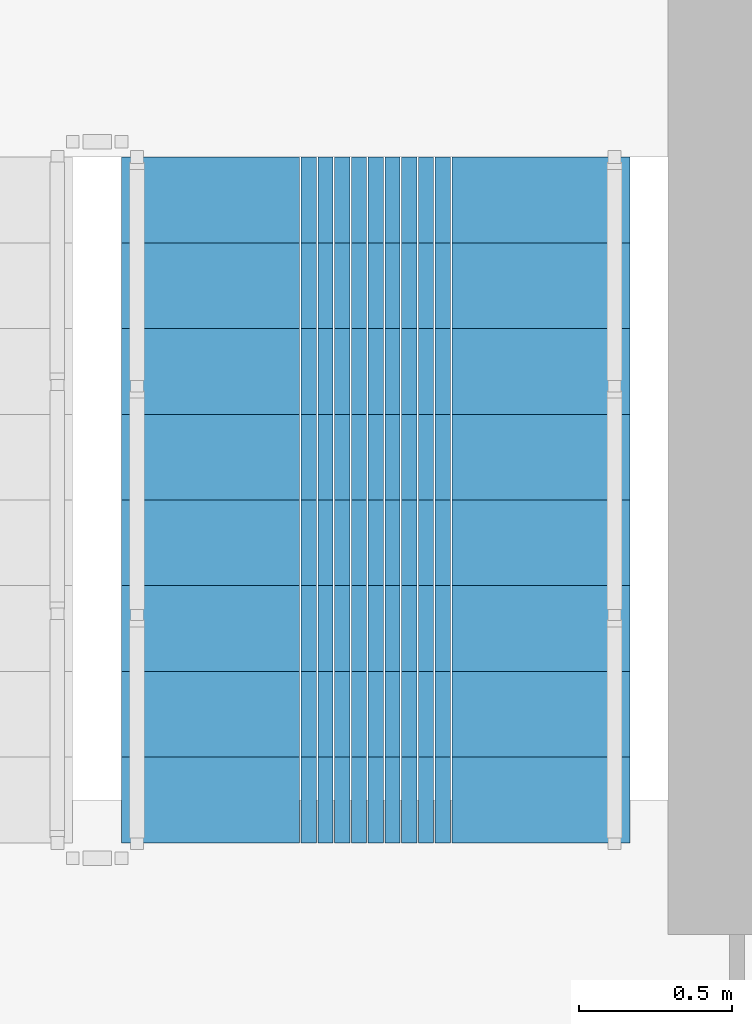
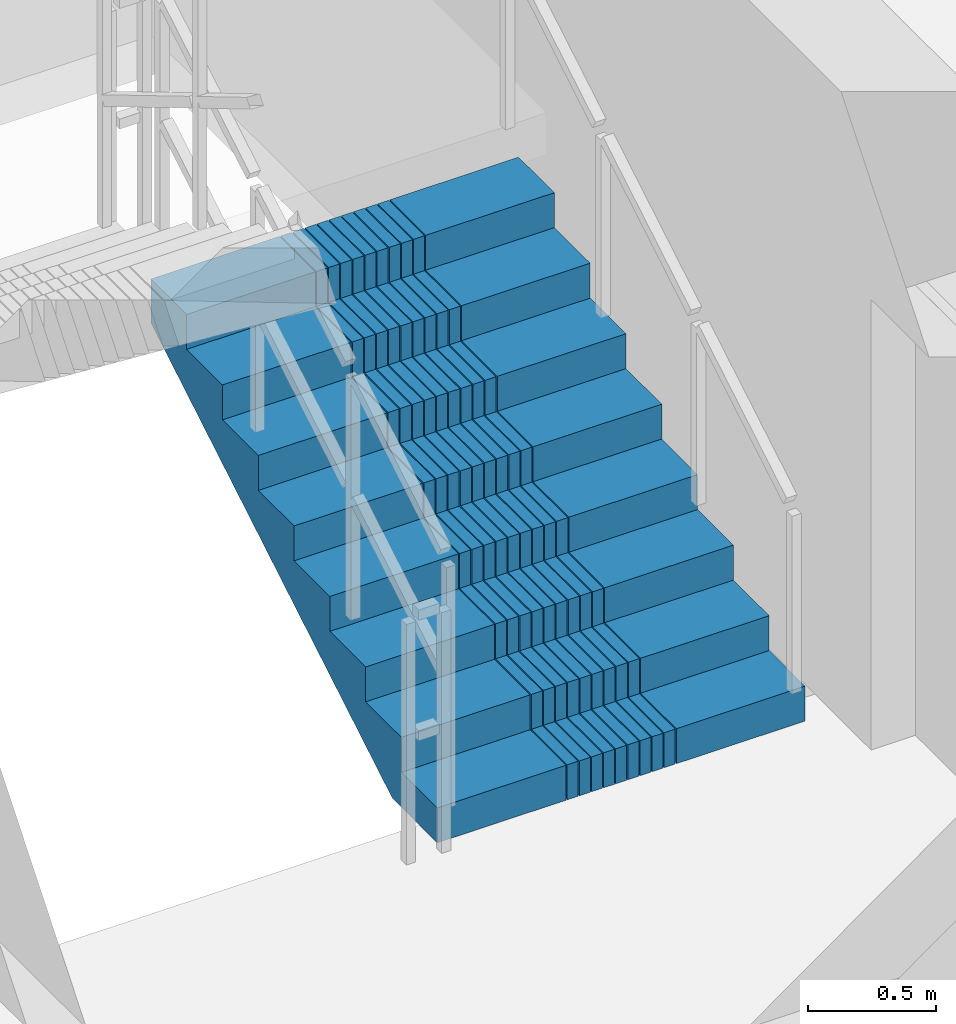
# One storey, part 9 of 14: 1 stair flight, 1 element without a shape of its own.
"""IFC4 building model written with IfcOpenShell, lengths in metres."""

from ifc_helpers import new_model, si_unit, direction, frame, origin, place, context, subcontext, project, spatial, polyline, outline, extrude, material, type_object, element, aggregate, save


model = new_model("IFC4")

# Units and contexts
model_context = context("Model", 3, precision=1e-05, world=origin(), true_north=direction((0.0, 1.0)))
body_context = subcontext(model_context, "Body", "Model", "MODEL_VIEW")
ifc_project = project(units=[si_unit("LENGTHUNIT", "METRE"), si_unit("AREAUNIT", "SQUARE_METRE"), si_unit("VOLUMEUNIT", "CUBIC_METRE"), si_unit("PLANEANGLEUNIT", "RADIAN"), si_unit("MASSUNIT", "GRAM", prefix="KILO")], contexts=[model_context])

# Site, building, storey
site_placement = place(None, origin())
site = spatial("IfcSite", under=ifc_project, at=site_placement, CompositionType="ELEMENT")
building_placement = place(site_placement, origin())
building = spatial("IfcBuilding", under=site, at=building_placement, Name="Saelheon Loggia Tower", CompositionType="ELEMENT")
storey_placement = place(building_placement, frame((0.0, 0.0, 230.10009765625)))
storey = spatial("IfcBuildingStorey", under=building, at=storey_placement, Name="L71", CompositionType="ELEMENT", Elevation=230.10009765625)

# Stair, stair flight
ifc_material = material(Name="Concrete C40/50", Category="concrete")
stair_type = type_object("IfcStairType", Name="Stair_Escape_Core", PredefinedType="HALF_TURN_STAIR", material=ifc_material)
stair_placement = place(storey_placement, origin())
stair = element("IfcStair", 1, at=stair_placement, inside=storey, type_object=stair_type, Name="L71 Special Escape Stair ST2", PredefinedType="HALF_TURN_STAIR")
stair_flight_type = type_object("IfcStairFlightType", Name="StairFlight_Tower_1660", PredefinedType="STRAIGHT", material=ifc_material)
stair_flight_placement = place(storey_placement, frame((43.320068359375, 30.449951171875, 0.0), z_axis=(0.0, 0.0, 1.0), x_axis=(0.0, 1.0, 0.0)))
stair_flight = element("IfcStairFlight", 2, at=stair_flight_placement, type_object=stair_flight_type, Name="ST2 flight 1", NumberOfRisers=9, NumberOfTreads=8, PredefinedType="STRAIGHT", RiserHeight=0.166666667, TreadLength=0.28, context=body_context, shape_type="SweptSolid", body=[
    extrude(outline(polyline([(0.0, 0.0), (0.0, 0.166748046875), (0.280029296875, 0.166748046875), (0.280029296875, 0.333251953125), (0.56005859375, 0.333251953125), (0.56005859375, 0.5), (0.840087890625, 0.5), (0.840087890625, 0.666748046875), (1.1201171875, 0.666748046875), (1.1201171875, 0.833251953125), (1.39990234375, 0.833251953125), (1.39990234375, 1.0), (1.679931640625, 1.0), (1.679931640625, 1.166748046875), (1.9599609375, 1.166748046875), (1.9599609375, 1.333251953125), (2.239990234375, 1.333251953125), (2.239990234375, 1.5), (2.239990234375, 1.1240234375), (0.351806640625, 0.0), (0.0, 0.0)])), frame((0.0, -0.2490234375, 0.0), z_axis=(0.0, -1.0, 0.0), x_axis=(1.0, 0.0, 0.0)), (0.0, 0.0, 1.0), 0.5810546875),
    extrude(outline(polyline([(0.0, 0.0), (0.0, 0.166748046875), (0.280029296875, 0.166748046875), (0.280029296875, 0.333251953125), (0.56005859375, 0.333251953125), (0.56005859375, 0.5), (0.840087890625, 0.5), (0.840087890625, 0.666748046875), (1.1201171875, 0.666748046875), (1.1201171875, 0.833251953125), (1.39990234375, 0.833251953125), (1.39990234375, 1.0), (1.679931640625, 1.0), (1.679931640625, 1.166748046875), (1.9599609375, 1.166748046875), (1.9599609375, 1.333251953125), (2.239990234375, 1.333251953125), (2.239990234375, 1.5), (2.239990234375, 1.1240234375), (0.351806640625, 0.0), (0.0, 0.0)])), frame((0.0, -0.194091796875, 0.0), z_axis=(0.0, -1.0, 0.0), x_axis=(1.0, 0.0, 0.0)), (0.0, 0.0, 1.0), 0.0498046875),
    extrude(outline(polyline([(0.0, 0.0), (0.0, 0.166748046875), (0.280029296875, 0.166748046875), (0.280029296875, 0.333251953125), (0.56005859375, 0.333251953125), (0.56005859375, 0.5), (0.840087890625, 0.5), (0.840087890625, 0.666748046875), (1.1201171875, 0.666748046875), (1.1201171875, 0.833251953125), (1.39990234375, 0.833251953125), (1.39990234375, 1.0), (1.679931640625, 1.0), (1.679931640625, 1.166748046875), (1.9599609375, 1.166748046875), (1.9599609375, 1.333251953125), (2.239990234375, 1.333251953125), (2.239990234375, 1.5), (2.239990234375, 1.1240234375), (0.351806640625, 0.0), (0.0, 0.0)])), frame((0.0, -0.139404296875, 0.0), z_axis=(0.0, -1.0, 0.0), x_axis=(1.0, 0.0, 0.0)), (0.0, 0.0, 1.0), 0.0498046875),
    extrude(outline(polyline([(0.0, 0.0), (0.0, 0.166748046875), (0.280029296875, 0.166748046875), (0.280029296875, 0.333251953125), (0.56005859375, 0.333251953125), (0.56005859375, 0.5), (0.840087890625, 0.5), (0.840087890625, 0.666748046875), (1.1201171875, 0.666748046875), (1.1201171875, 0.833251953125), (1.39990234375, 0.833251953125), (1.39990234375, 1.0), (1.679931640625, 1.0), (1.679931640625, 1.166748046875), (1.9599609375, 1.166748046875), (1.9599609375, 1.333251953125), (2.239990234375, 1.333251953125), (2.239990234375, 1.5), (2.239990234375, 1.1240234375), (0.351806640625, 0.0), (0.0, 0.0)])), frame((0.0, -0.084716796875, 0.0), z_axis=(0.0, -1.0, 0.0), x_axis=(1.0, 0.0, 0.0)), (0.0, 0.0, 1.0), 0.0498046875),
    extrude(outline(polyline([(0.0, 0.0), (0.0, 0.166748046875), (0.280029296875, 0.166748046875), (0.280029296875, 0.333251953125), (0.56005859375, 0.333251953125), (0.56005859375, 0.5), (0.840087890625, 0.5), (0.840087890625, 0.666748046875), (1.1201171875, 0.666748046875), (1.1201171875, 0.833251953125), (1.39990234375, 0.833251953125), (1.39990234375, 1.0), (1.679931640625, 1.0), (1.679931640625, 1.166748046875), (1.9599609375, 1.166748046875), (1.9599609375, 1.333251953125), (2.239990234375, 1.333251953125), (2.239990234375, 1.5), (2.239990234375, 1.1240234375), (0.351806640625, 0.0), (0.0, 0.0)])), frame((0.0, -0.02978515625, 0.0), z_axis=(0.0, -1.0, 0.0), x_axis=(1.0, 0.0, 0.0)), (0.0, 0.0, 1.0), 0.0498046875),
    extrude(outline(polyline([(0.0, 0.0), (0.0, 0.166748046875), (0.280029296875, 0.166748046875), (0.280029296875, 0.333251953125), (0.56005859375, 0.333251953125), (0.56005859375, 0.5), (0.840087890625, 0.5), (0.840087890625, 0.666748046875), (1.1201171875, 0.666748046875), (1.1201171875, 0.833251953125), (1.39990234375, 0.833251953125), (1.39990234375, 1.0), (1.679931640625, 1.0), (1.679931640625, 1.166748046875), (1.9599609375, 1.166748046875), (1.9599609375, 1.333251953125), (2.239990234375, 1.333251953125), (2.239990234375, 1.5), (2.239990234375, 1.1240234375), (0.351806640625, 0.0), (0.0, 0.0)])), frame((0.0, 0.02490234375, 0.0), z_axis=(0.0, -1.0, 0.0), x_axis=(1.0, 0.0, 0.0)), (0.0, 0.0, 1.0), 0.0498046875),
    extrude(outline(polyline([(0.0, 0.0), (0.0, 0.166748046875), (0.280029296875, 0.166748046875), (0.280029296875, 0.333251953125), (0.56005859375, 0.333251953125), (0.56005859375, 0.5), (0.840087890625, 0.5), (0.840087890625, 0.666748046875), (1.1201171875, 0.666748046875), (1.1201171875, 0.833251953125), (1.39990234375, 0.833251953125), (1.39990234375, 1.0), (1.679931640625, 1.0), (1.679931640625, 1.166748046875), (1.9599609375, 1.166748046875), (1.9599609375, 1.333251953125), (2.239990234375, 1.333251953125), (2.239990234375, 1.5), (2.239990234375, 1.1240234375), (0.351806640625, 0.0), (0.0, 0.0)])), frame((0.0, 0.07958984375, 0.0), z_axis=(0.0, -1.0, 0.0), x_axis=(1.0, 0.0, 0.0)), (0.0, 0.0, 1.0), 0.0498046875),
    extrude(outline(polyline([(0.0, 0.0), (0.0, 0.166748046875), (0.280029296875, 0.166748046875), (0.280029296875, 0.333251953125), (0.56005859375, 0.333251953125), (0.56005859375, 0.5), (0.840087890625, 0.5), (0.840087890625, 0.666748046875), (1.1201171875, 0.666748046875), (1.1201171875, 0.833251953125), (1.39990234375, 0.833251953125), (1.39990234375, 1.0), (1.679931640625, 1.0), (1.679931640625, 1.166748046875), (1.9599609375, 1.166748046875), (1.9599609375, 1.333251953125), (2.239990234375, 1.333251953125), (2.239990234375, 1.5), (2.239990234375, 1.1240234375), (0.351806640625, 0.0), (0.0, 0.0)])), frame((0.0, 0.134521484375, 0.0), z_axis=(0.0, -1.0, 0.0), x_axis=(1.0, 0.0, 0.0)), (0.0, 0.0, 1.0), 0.0498046875),
    extrude(outline(polyline([(0.0, 0.0), (0.0, 0.166748046875), (0.280029296875, 0.166748046875), (0.280029296875, 0.333251953125), (0.56005859375, 0.333251953125), (0.56005859375, 0.5), (0.840087890625, 0.5), (0.840087890625, 0.666748046875), (1.1201171875, 0.666748046875), (1.1201171875, 0.833251953125), (1.39990234375, 0.833251953125), (1.39990234375, 1.0), (1.679931640625, 1.0), (1.679931640625, 1.166748046875), (1.9599609375, 1.166748046875), (1.9599609375, 1.333251953125), (2.239990234375, 1.333251953125), (2.239990234375, 1.5), (2.239990234375, 1.1240234375), (0.351806640625, 0.0), (0.0, 0.0)])), frame((0.0, 0.189208984375, 0.0), z_axis=(0.0, -1.0, 0.0), x_axis=(1.0, 0.0, 0.0)), (0.0, 0.0, 1.0), 0.0498046875),
    extrude(outline(polyline([(0.0, 0.0), (0.0, 0.166748046875), (0.280029296875, 0.166748046875), (0.280029296875, 0.333251953125), (0.56005859375, 0.333251953125), (0.56005859375, 0.5), (0.840087890625, 0.5), (0.840087890625, 0.666748046875), (1.1201171875, 0.666748046875), (1.1201171875, 0.833251953125), (1.39990234375, 0.833251953125), (1.39990234375, 1.0), (1.679931640625, 1.0), (1.679931640625, 1.166748046875), (1.9599609375, 1.166748046875), (1.9599609375, 1.333251953125), (2.239990234375, 1.333251953125), (2.239990234375, 1.5), (2.239990234375, 1.1240234375), (0.351806640625, 0.0), (0.0, 0.0)])), frame((0.0, 0.243896484375, 0.0), z_axis=(0.0, -1.0, 0.0), x_axis=(1.0, 0.0, 0.0)), (0.0, 0.0, 1.0), 0.0498046875),
    extrude(outline(polyline([(0.0, 0.0), (0.0, 0.166748046875), (0.280029296875, 0.166748046875), (0.280029296875, 0.333251953125), (0.56005859375, 0.333251953125), (0.56005859375, 0.5), (0.840087890625, 0.5), (0.840087890625, 0.666748046875), (1.1201171875, 0.666748046875), (1.1201171875, 0.833251953125), (1.39990234375, 0.833251953125), (1.39990234375, 1.0), (1.679931640625, 1.0), (1.679931640625, 1.166748046875), (1.9599609375, 1.166748046875), (1.9599609375, 1.333251953125), (2.239990234375, 1.333251953125), (2.239990234375, 1.5), (2.239990234375, 1.1240234375), (0.351806640625, 0.0), (0.0, 0.0)])), frame((0.0, 0.830078125, 0.0), z_axis=(0.0, -1.0, 0.0), x_axis=(1.0, 0.0, 0.0)), (0.0, 0.0, 1.0), 0.5810546875),
])
aggregate(stair, [stair_flight])

save(model, "model.ifc")
